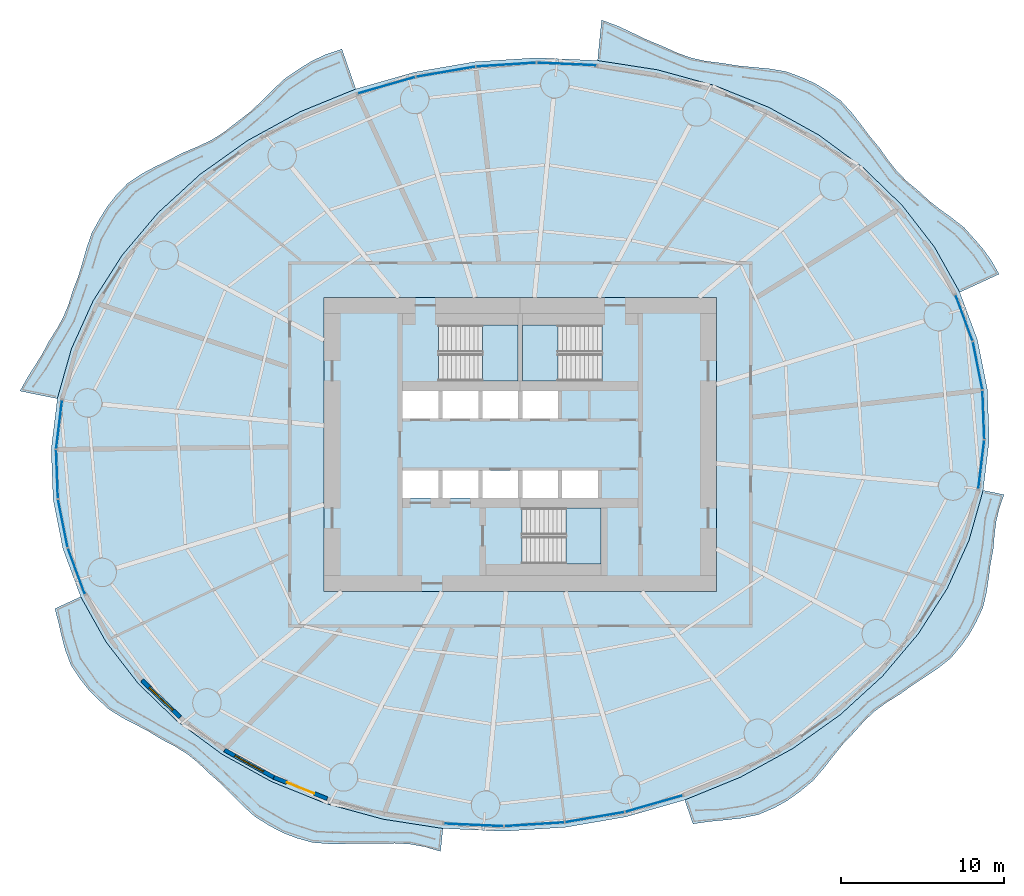
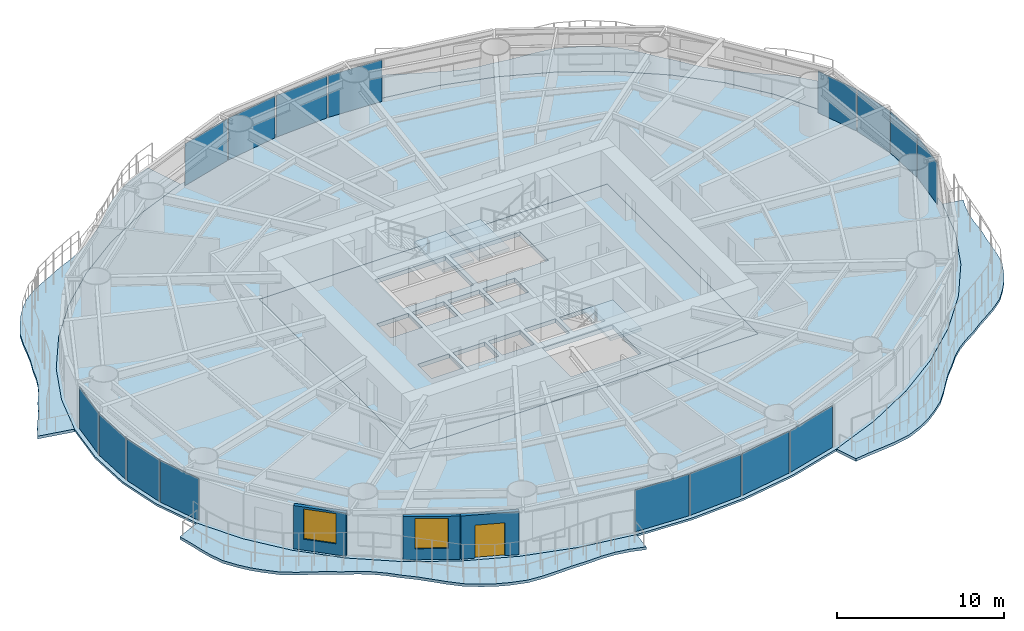
# One storey, part 7 of 16: 16 plates, 9 slabs, 3 walls, 2 windows, 1 door, 3 openings, 19 elements without a shape of their own.
"""IFC4 building model written with IfcOpenShell, lengths in metres."""

from ifc_helpers import new_model, si_unit, direction, frame, frame_2d, origin, origin_2d, place, context, subcontext, project, spatial, polyline, rectangle, outline, extrude, material, layer, layer_set, type_object, element, fill, aggregate, save


model = new_model("IFC4")

# Units and contexts
model_context = context("Model", 3, precision=1e-05, world=origin(), true_north=direction((0.0, 1.0)))
body_context = subcontext(model_context, "Body", "Model", "MODEL_VIEW")
ifc_project = project(units=[si_unit("LENGTHUNIT", "METRE"), si_unit("AREAUNIT", "SQUARE_METRE"), si_unit("VOLUMEUNIT", "CUBIC_METRE"), si_unit("PLANEANGLEUNIT", "RADIAN"), si_unit("MASSUNIT", "GRAM", prefix="KILO")], contexts=[model_context])

# Site, building, storey
site_placement = place(None, origin())
site = spatial("IfcSite", under=ifc_project, at=site_placement, CompositionType="ELEMENT")
building_placement = place(site_placement, origin())
building = spatial("IfcBuilding", under=site, at=building_placement, Name="Vermilion Reach Broadcast Tower", CompositionType="ELEMENT")
storey_placement = place(building_placement, frame((0.0, 0.0, 61.89990234375)))
storey = spatial("IfcBuildingStorey", under=building, at=storey_placement, Name="L12", CompositionType="ELEMENT", Elevation=61.89990234375)

# Slabs
ifc_material_1 = material(Name="Concrete C40/50", Category="concrete")
ifc_layer_1 = layer(ifc_material_1, 0.199951171875)
ifc_layer_set_1 = layer_set([ifc_layer_1], Name="Balcony slab 200")
slab_type_1 = type_object("IfcSlabType", Name="Balcony slab 200", PredefinedType="FLOOR", material=ifc_layer_set_1)
placement_1 = place(storey_placement, frame((0.0, 0.0, -0.199951171875)))
element("IfcSlab", 1, at=placement_1, inside=storey, type_object=slab_type_1, Name="Balcony slab L12 group 1", PredefinedType="FLOOR", context=body_context, shape_type="SweptSolid", body=[
    extrude(outline(polyline([(20.88623046875, 9.312255859375), (19.34326171875, 12.071044921875), (17.366455078125, 14.623046875), (14.98974609375, 16.925048828125), (12.254150390625, 18.9375), (9.2060546875, 20.625732421875), (5.897705078125, 21.961181640625), (2.385986328125, 22.9208984375), (-1.269287109375, 23.48828125), (-1.022705078125, 25.96728515625), (-0.007568359375, 25.587646484375), (0.86474609375, 25.1787109375), (1.73583984375, 24.761962890625), (2.695068359375, 24.369140625), (3.610595703125, 23.949462890625), (4.471435546875, 23.647216796875), (5.361083984375, 23.4501953125), (6.35888671875, 23.3291015625), (7.3466796875, 23.16796875), (8.2724609375, 23.07861328125), (9.199462890625, 22.992431640625), (10.25048828125, 22.8173828125), (11.218505859375, 22.46142578125), (12.01318359375, 22.098388671875), (12.759765625, 21.648193359375), (13.60009765625, 21.037109375), (14.29541015625, 20.279541015625), (14.834228515625, 19.57958984375), (15.36572265625, 18.868896484375), (15.99462890625, 18.11376953125), (16.54052734375, 17.337158203125), (17.0625, 16.68701171875), (17.645263671875, 16.099853515625), (18.358154296875, 15.510986328125), (19.028076171875, 14.889404296875), (19.685791015625, 14.3779296875), (20.369384765625, 13.88671875), (21.15478515625, 13.26953125), (21.8046875, 12.54248046875), (22.331787109375, 11.931884765625), (22.79833984375, 11.287109375), (23.29443359375, 10.424560546875), (20.88623046875, 9.312255859375)])), origin(), (0.0, 0.0, 1.0), 0.199951171875),
])
element("IfcSlab", 2, at=placement_1, inside=storey, type_object=slab_type_1, Name="Balcony slab L12 group 2", PredefinedType="FLOOR", context=body_context, shape_type="SweptSolid", body=[
    extrude(outline(polyline([(-16.060302734375, 21.74560546875), (-19.483642578125, 20.343994140625), (-22.67626953125, 18.594482421875), (-25.58349609375, 16.526611328125), (-28.15576171875, 14.176025390625), (-30.348876953125, 11.5830078125), (-32.125244140625, 8.791748046875), (-33.454833984375, 5.849853515625), (-34.314453125, 2.80810546875), (-36.60009765625, 3.26708984375), (-36.12255859375, 4.140380859375), (-35.6767578125, 4.83544921875), (-35.240966796875, 5.53369140625), (-34.811767578125, 6.34521484375), (-34.312744140625, 7.123291015625), (-33.929931640625, 7.8359375), (-33.62548828125, 8.583984375), (-33.354736328125, 9.456298828125), (-33.01416015625, 10.337890625), (-32.76708984375, 11.1611328125), (-32.534912109375, 11.993896484375), (-32.20654296875, 12.9501953125), (-31.706787109375, 13.843505859375), (-31.251220703125, 14.570068359375), (-30.726318359375, 15.238037109375), (-30.021728515625, 15.9716796875), (-29.1513671875, 16.556884765625), (-28.357421875, 16.9794921875), (-27.5390625, 17.375244140625), (-26.64501953125, 17.841064453125), (-25.702880859375, 18.2333984375), (-24.887451171875, 18.62548828125), (-24.127685546875, 19.09619140625), (-23.36669921875, 19.6962890625), (-22.57373046875, 20.301025390625), (-21.884765625, 20.937744140625), (-21.216552734375, 21.6123046875), (-20.439208984375, 22.34765625), (-19.5556640625, 22.9609375), (-18.7578125, 23.45263671875), (-17.920166015625, 23.847412109375), (-16.908447265625, 24.19189453125), (-16.060302734375, 21.74560546875)])), origin(), (0.0, 0.0, 1.0), 0.199951171875),
])
element("IfcSlab", 3, at=placement_1, inside=storey, type_object=slab_type_1, Name="Balcony slab L12 group 3", PredefinedType="FLOOR", context=body_context, shape_type="SweptSolid", body=[
    extrude(outline(polyline([(-32.88623046875, -9.312255859375), (-31.34326171875, -12.071044921875), (-29.366455078125, -14.623046875), (-26.98974609375, -16.925048828125), (-24.254150390625, -18.9375), (-21.2060546875, -20.625732421875), (-17.897705078125, -21.961181640625), (-14.385986328125, -22.9208984375), (-10.730712890625, -23.48828125), (-10.870361328125, -24.89306640625), (-11.840576171875, -24.609619140625), (-12.750732421875, -24.444580078125), (-13.67822265625, -24.39013671875), (-14.705810546875, -24.41845703125), (-15.732666015625, -24.396240234375), (-16.683349609375, -24.42236328125), (-17.629638671875, -24.432861328125), (-18.703125, -24.35009765625), (-19.709228515625, -24.06640625), (-20.540771484375, -23.743408203125), (-21.33349609375, -23.32470703125), (-22.22705078125, -22.768310546875), (-23.00048828125, -22.06787109375), (-23.634765625, -21.4150390625), (-24.274658203125, -20.7724609375), (-25.01708984375, -20.1279296875), (-25.699951171875, -19.47021484375), (-26.363037109375, -18.93896484375), (-27.08251953125, -18.48388671875), (-27.9326171875, -18.04052734375), (-28.741943359375, -17.545166015625), (-29.505859375, -17.14501953125), (-30.273681640625, -16.748779296875), (-31.14453125, -16.215087890625), (-31.872314453125, -15.543212890625), (-32.4384765625, -14.9609375), (-32.93798828125, -14.3271484375), (-33.487548828125, -13.48974609375), (-33.836181640625, -12.56005859375), (-34.043701171875, -11.7705078125), (-34.224365234375, -10.96630859375), (-34.46826171875, -10.04296875), (-32.88623046875, -9.312255859375)])), origin(), (0.0, 0.0, 1.0), 0.199951171875),
])
element("IfcSlab", 4, at=placement_1, inside=storey, type_object=slab_type_1, Name="Balcony slab L12 group 4", PredefinedType="FLOOR", context=body_context, shape_type="SweptSolid", body=[
    extrude(outline(polyline([(4.060302734375, -21.74560546875), (7.483642578125, -20.343994140625), (10.67626953125, -18.594482421875), (13.58349609375, -16.526611328125), (16.15576171875, -14.176025390625), (18.348876953125, -11.5830078125), (20.125244140625, -8.791748046875), (21.454833984375, -5.849853515625), (22.314453125, -2.80810546875), (23.592041015625, -3.064697265625), (23.302734375, -3.90869140625), (23.1201171875, -4.67822265625), (23.0126953125, -5.468994140625), (22.936279296875, -6.390625), (22.761962890625, -7.326416015625), (22.65283203125, -8.162841796875), (22.533203125, -8.994384765625), (22.304443359375, -9.9697265625), (21.876708984375, -10.886962890625), (21.47265625, -11.610107421875), (20.992431640625, -12.284912109375), (20.3505859375, -13.05615234375), (19.5400390625, -13.702392578125), (18.803955078125, -14.19189453125), (18.05908203125, -14.674072265625), (17.2685546875, -15.2470703125), (16.429931640625, -15.767333984375), (15.72119140625, -16.283203125), (15.07861328125, -16.871337890625), (14.440673828125, -17.588134765625), (13.7548828125, -18.306396484375), (13.171875, -19.025390625), (12.601806640625, -19.762939453125), (11.910888671875, -20.564697265625), (11.090087890625, -21.243408203125), (10.345703125, -21.778564453125), (9.550048828125, -22.220703125), (8.577392578125, -22.637451171875), (7.514404296875, -22.85986328125), (6.560302734375, -22.969970703125), (5.59814453125, -23.060791015625), (4.566650390625, -23.2060546875), (4.060302734375, -21.74560546875)])), origin(), (0.0, 0.0, 1.0), 0.199951171875),
])
ifc_material_2 = material(Name="Concrete C40", Category="concrete")
ifc_layer_2 = layer(ifc_material_2, 0.300048828125)
ifc_layer_set_2 = layer_set([ifc_layer_2], Name="Core floor slab 300 mm Concrete C40")
slab_type_2 = type_object("IfcSlabType", Name="Core floor slab 300 mm Concrete C40", PredefinedType="FLOOR", material=ifc_layer_set_2)
slab_5_placement = place(storey_placement, frame((0.0, 0.0, -0.2998046875)))
element("IfcSlab", 5, at=slab_5_placement, inside=storey, type_object=slab_type_2, Name="L12 core floor", PredefinedType="FLOOR", context=body_context, shape_type="SweptSolid", body=[
    extrude(outline(polyline([(-18.0, -9.0), (6.0, -9.0), (6.0, 9.0), (-18.0, 9.0), (-18.0, -9.0)]), holes=[polyline([(-13.199951171875, 1.60009765625), (-11.00830078125, 1.60009765625), (-11.00830078125, 3.280029296875), (-13.199951171875, 3.280029296875), (-13.199951171875, 1.60009765625)]), polyline([(-10.75830078125, 1.60009765625), (-8.566650390625, 1.60009765625), (-8.566650390625, 3.280029296875), (-10.75830078125, 3.280029296875), (-10.75830078125, 1.60009765625)]), polyline([(-8.316650390625, 1.60009765625), (-6.125, 1.60009765625), (-6.125, 3.280029296875), (-8.316650390625, 3.280029296875), (-8.316650390625, 1.60009765625)]), polyline([(-5.875, 1.60009765625), (-3.683349609375, 1.60009765625), (-3.683349609375, 3.280029296875), (-5.875, 3.280029296875), (-5.875, 1.60009765625)]), polyline([(-13.199951171875, -3.280029296875), (-11.00830078125, -3.280029296875), (-11.00830078125, -1.60009765625), (-13.199951171875, -1.60009765625), (-13.199951171875, -3.280029296875)]), polyline([(-10.75830078125, -3.280029296875), (-8.566650390625, -3.280029296875), (-8.566650390625, -1.60009765625), (-10.75830078125, -1.60009765625), (-10.75830078125, -3.280029296875)]), polyline([(-8.316650390625, -3.280029296875), (-6.125, -3.280029296875), (-6.125, -1.60009765625), (-8.316650390625, -1.60009765625), (-8.316650390625, -3.280029296875)]), polyline([(-5.875, -3.280029296875), (-3.683349609375, -3.280029296875), (-3.683349609375, -1.60009765625), (-5.875, -1.60009765625), (-5.875, -3.280029296875)]), polyline([(-3.433349609375, -3.280029296875), (-1.24169921875, -3.280029296875), (-1.24169921875, -1.60009765625), (-3.433349609375, -1.60009765625), (-3.433349609375, -3.280029296875)]), polyline([(-10.999267578125, 3.8798828125), (-6.14990234375, 3.8798828125), (-6.14990234375, 7.300048828125), (-10.999267578125, 7.300048828125), (-10.999267578125, 3.8798828125)]), polyline([(-1.000732421875, 7.300048828125), (-5.85009765625, 7.300048828125), (-5.85009765625, 3.8798828125), (-1.000732421875, 3.8798828125), (-1.000732421875, 7.300048828125)]), polyline([(-5.8994140625, -7.300048828125), (-1.050048828125, -7.300048828125), (-1.050048828125, -3.8798828125), (-5.8994140625, -3.8798828125), (-5.8994140625, -7.300048828125)])]), origin(), (0.0, 0.0, 1.0), 0.2998046875),
])

# Stair, slab
ifc_material_3 = material(Name="Concrete C40", Category="concrete")
stair_type = type_object("IfcStairType", Name="Exit stair RC 22 risers 168 mm", PredefinedType="HALF_TURN_STAIR", material=ifc_material_3)
placement_2 = place(storey_placement, origin())
stair_1 = element("IfcStair", 6, at=placement_2, inside=storey, type_object=stair_type, Name="L12 Exit stair ST1", PredefinedType="HALF_TURN_STAIR")
ifc_material_4 = material(Name="Concrete C40", Category="concrete")
ifc_layer_3 = layer(ifc_material_4, 0.199951171875)
ifc_layer_set_3 = layer_set([ifc_layer_3], Name="Exit stair landing Concrete C40")
slab_type_3 = type_object("IfcSlabType", Name="Exit stair landing Concrete C40", PredefinedType="LANDING", material=ifc_layer_set_3)
placement_3 = place(storey_placement, frame((0.0, 0.0, 1.650146484375)))
slab_6 = element("IfcSlab", 7, at=placement_3, type_object=slab_type_3, Name="ST1 landing 1", PredefinedType="LANDING", context=body_context, shape_type="SweptSolid", body=[
    extrude(outline(polyline([(-8.300048828125, 3.8798828125), (-6.14990234375, 3.8798828125), (-6.14990234375, 7.300048828125), (-8.300048828125, 7.300048828125), (-8.300048828125, 3.8798828125)])), origin(), (0.0, 0.0, 1.0), 0.199951171875),
])
aggregate(stair_1, [slab_6])

stair_2 = element("IfcStair", 8, at=placement_2, inside=storey, type_object=stair_type, Name="L12 Exit stair ST2", PredefinedType="HALF_TURN_STAIR")
slab_7 = element("IfcSlab", 9, at=placement_3, type_object=slab_type_3, Name="ST2 landing 1", PredefinedType="LANDING", context=body_context, shape_type="SweptSolid", body=[
    extrude(outline(polyline([(-3.699951171875, 7.300048828125), (-5.85009765625, 7.300048828125), (-5.85009765625, 3.8798828125), (-3.699951171875, 3.8798828125), (-3.699951171875, 7.300048828125)])), origin(), (0.0, 0.0, 1.0), 0.199951171875),
])
aggregate(stair_2, [slab_7])

stair_3 = element("IfcStair", 10, at=placement_2, inside=storey, type_object=stair_type, Name="L12 Exit stair ST3", PredefinedType="HALF_TURN_STAIR")
slab_8 = element("IfcSlab", 11, at=placement_3, type_object=slab_type_3, Name="ST3 landing 1", PredefinedType="LANDING", context=body_context, shape_type="SweptSolid", body=[
    extrude(outline(polyline([(-3.199951171875, -7.300048828125), (-1.050048828125, -7.300048828125), (-1.050048828125, -3.8798828125), (-3.199951171875, -3.8798828125), (-3.199951171875, -7.300048828125)])), origin(), (0.0, 0.0, 1.0), 0.199951171875),
])
aggregate(stair_3, [slab_8])

# Slab
ifc_material_5 = material(Name="Concrete C40", Category="concrete")
ifc_layer_4 = layer(ifc_material_5, 0.14990234375)
ifc_layer_set_4 = layer_set([ifc_layer_4], Name="Floor slab Concrete C40 composite 150")
slab_type_4 = type_object("IfcSlabType", Name="Floor slab Concrete C40 composite 150", PredefinedType="FLOOR", material=ifc_layer_set_4)
slab_9_placement = place(storey_placement, frame((0.0, 0.0, -0.14990234375)))
element("IfcSlab", 12, at=slab_9_placement, inside=storey, type_object=slab_type_4, Name="Floor slab L12", PredefinedType="FLOOR", context=body_context, shape_type="SweptSolid", body=[
    extrude(outline(polyline([(22.573974609375, 3.36669921875), (21.969482421875, 6.394287109375), (20.88623046875, 9.312255859375), (19.34326171875, 12.071044921875), (17.366455078125, 14.623046875), (14.98974609375, 16.925048828125), (12.254150390625, 18.9375), (9.2060546875, 20.625732421875), (5.897705078125, 21.961181640625), (2.385986328125, 22.9208984375), (-1.269287109375, 23.48828125), (-5.005615234375, 23.654052734375), (-8.7587890625, 23.414794921875), (-12.46484375, 22.775146484375), (-16.060302734375, 21.74560546875), (-19.483642578125, 20.343994140625), (-22.67626953125, 18.594482421875), (-25.58349609375, 16.526611328125), (-28.15576171875, 14.176025390625), (-30.348876953125, 11.5830078125), (-32.125244140625, 8.791748046875), (-33.454833984375, 5.849853515625), (-34.314453125, 2.80810546875), (-34.689697265625, -0.28173828125), (-34.573974609375, -3.36669921875), (-33.969482421875, -6.394287109375), (-32.88623046875, -9.312255859375), (-31.34326171875, -12.071044921875), (-29.366455078125, -14.623046875), (-26.98974609375, -16.925048828125), (-24.254150390625, -18.9375), (-21.2060546875, -20.625732421875), (-17.897705078125, -21.961181640625), (-14.385986328125, -22.9208984375), (-10.730712890625, -23.48828125), (-6.994384765625, -23.654052734375), (-3.2412109375, -23.414794921875), (0.46484375, -22.775146484375), (4.060302734375, -21.74560546875), (7.483642578125, -20.343994140625), (10.67626953125, -18.594482421875), (13.58349609375, -16.526611328125), (16.15576171875, -14.176025390625), (18.348876953125, -11.5830078125), (20.125244140625, -8.791748046875), (21.454833984375, -5.849853515625), (22.314453125, -2.80810546875), (22.689697265625, 0.28173828125), (22.573974609375, 3.36669921875)]), holes=[polyline([(-18.0, -9.0), (6.0, -9.0), (6.0, 9.0), (-18.0, 9.0), (-18.0, -9.0)])]), origin(), (0.0, 0.0, 1.0), 0.14990234375),
])

# Curtain wall, plate
ifc_material_6 = material(Name="Low-e laminated clear glass in aluminium frame", Category="aluminium")
curtain_wall_type = type_object("IfcCurtainWallType", Name="Slot curtain wall", PredefinedType="NOTDEFINED", material=ifc_material_6)
curtain_wall_1 = element("IfcCurtainWall", 13, at=placement_2, inside=storey, type_object=curtain_wall_type, Name="Slot curtain wall L12 46", PredefinedType="NOTDEFINED")
ifc_material_7 = material(Name="Low-e laminated clear glass", Category="glass")
ifc_layer_5 = layer(ifc_material_7, 0.028076171875)
ifc_layer_set_5 = layer_set([ifc_layer_5], Name="Slot glass panel")
plate_type = type_object("IfcPlateType", Name="Slot glass panel", PredefinedType="CURTAIN_PANEL", material=ifc_layer_set_5)
plate_1_placement = place(storey_placement, frame((22.205078125, -1.227294921875, 0.0), z_axis=(0.0, 0.0, 1.0), x_axis=(0.120561561118, 0.992705852698, 0.0)))
plate_1 = element("IfcPlate", 14, at=plate_1_placement, type_object=plate_type, Name="Slot glass panel L12 46", PredefinedType="CURTAIN_PANEL", context=body_context, shape_type="SweptSolid", body=[
    extrude(rectangle(XDim=2.985595703125, YDim=0.028076171875, at=origin_2d()), origin(), (0.0, 0.0, 1.0), 3.050048828125),
])
aggregate(curtain_wall_1, [plate_1])

curtain_wall_2 = element("IfcCurtainWall", 15, at=placement_2, inside=storey, type_object=curtain_wall_type, Name="Slot curtain wall L12 47", PredefinedType="NOTDEFINED")
plate_2_placement = place(storey_placement, frame((22.3330078125, 1.81298828125, 0.0), z_axis=(0.0, 0.0, 1.0), x_axis=(-0.037459364915, 0.999298151695, 0.0)))
plate_2 = element("IfcPlate", 16, at=plate_2_placement, type_object=plate_type, Name="Slot glass panel L12 47", PredefinedType="CURTAIN_PANEL", context=body_context, shape_type="SweptSolid", body=[
    extrude(rectangle(XDim=2.95947265625, YDim=0.028076171875, at=origin_2d()), origin(), (0.0, 0.0, 1.0), 3.050048828125),
])
aggregate(curtain_wall_2, [plate_2])

curtain_wall_3 = element("IfcCurtainWall", 17, at=placement_2, inside=storey, type_object=curtain_wall_type, Name="Slot curtain wall L12 00", PredefinedType="NOTDEFINED")
plate_3_placement = place(storey_placement, frame((21.978515625, 4.822021484375, 0.0), z_axis=(0.0, 0.0, 1.0), x_axis=(-0.195830463176, 0.980637766809, 0.0)))
plate_3 = element("IfcPlate", 18, at=plate_3_placement, type_object=plate_type, Name="Slot glass panel L12 00", PredefinedType="CURTAIN_PANEL", context=body_context, shape_type="SweptSolid", body=[
    extrude(rectangle(XDim=2.95947265625, YDim=0.028076171875, at=origin_2d()), origin(), (0.0, 0.0, 1.0), 3.050048828125),
])
aggregate(curtain_wall_3, [plate_3])

curtain_wall_4 = element("IfcCurtainWall", 19, at=placement_2, inside=storey, type_object=curtain_wall_type, Name="Slot curtain wall L12 01", PredefinedType="NOTDEFINED")
plate_4_placement = place(storey_placement, frame((21.1474609375, 7.749267578125, 0.0), z_axis=(0.0, 0.0, 1.0), x_axis=(-0.347991532124, 0.937497676568, 0.0)))
plate_4 = element("IfcPlate", 20, at=plate_4_placement, type_object=plate_type, Name="Slot glass panel L12 01", PredefinedType="CURTAIN_PANEL", context=body_context, shape_type="SweptSolid", body=[
    extrude(rectangle(XDim=2.985595703125, YDim=0.028076171875, at=origin_2d()), origin(), (0.0, 0.0, 1.0), 3.050048828125),
])
aggregate(curtain_wall_4, [plate_4])

curtain_wall_5 = element("IfcCurtainWall", 21, at=placement_2, inside=storey, type_object=curtain_wall_type, Name="Slot curtain wall L12 10", PredefinedType="NOTDEFINED")
plate_5_placement = place(storey_placement, frame((-3.15087890625, 23.27197265625, 0.0), z_axis=(0.0, 0.0, 1.0), x_axis=(-0.99901941838, 0.044274165141, 0.0)))
plate_5 = element("IfcPlate", 22, at=plate_5_placement, type_object=plate_type, Name="Slot glass panel L12 10", PredefinedType="CURTAIN_PANEL", context=body_context, shape_type="SweptSolid", body=[
    extrude(rectangle(XDim=3.62744140625, YDim=0.028076171875, at=origin_2d()), origin(), (0.0, 0.0, 1.0), 3.050048828125),
])
aggregate(curtain_wall_5, [plate_5])

curtain_wall_6 = element("IfcCurtainWall", 23, at=placement_2, inside=storey, type_object=curtain_wall_type, Name="Slot curtain wall L12 11", PredefinedType="NOTDEFINED")
plate_6_placement = place(storey_placement, frame((-6.86328125, 23.2353515625, 0.0), z_axis=(0.0, 0.0, 1.0), x_axis=(-0.997976360011, -0.063586042961, 0.0)))
plate_6 = element("IfcPlate", 24, at=plate_6_placement, type_object=plate_type, Name="Slot glass panel L12 11", PredefinedType="CURTAIN_PANEL", context=body_context, shape_type="SweptSolid", body=[
    extrude(rectangle(XDim=3.648681640625, YDim=0.028076171875, at=origin_2d()), origin(), (0.0, 0.0, 1.0), 3.050048828125),
])
aggregate(curtain_wall_6, [plate_6])

curtain_wall_7 = element("IfcCurtainWall", 25, at=placement_2, inside=storey, type_object=curtain_wall_type, Name="Slot curtain wall L12 12", PredefinedType="NOTDEFINED")
plate_7_placement = place(storey_placement, frame((-10.56103515625, 22.7998046875, 0.0), z_axis=(0.0, 0.0, 1.0), x_axis=(-0.985424739932, -0.170111968803, 0.0)))
plate_7 = element("IfcPlate", 26, at=plate_7_placement, type_object=plate_type, Name="Slot glass panel L12 12", PredefinedType="CURTAIN_PANEL", context=body_context, shape_type="SweptSolid", body=[
    extrude(rectangle(XDim=3.648681640625, YDim=0.028076171875, at=origin_2d()), origin(), (0.0, 0.0, 1.0), 3.050048828125),
])
aggregate(curtain_wall_7, [plate_7])

curtain_wall_8 = element("IfcCurtainWall", 27, at=placement_2, inside=storey, type_object=curtain_wall_type, Name="Slot curtain wall L12 13", PredefinedType="NOTDEFINED")
plate_8_placement = place(storey_placement, frame((-14.18017578125, 21.972412109375, 0.0), z_axis=(0.0, 0.0, 1.0), x_axis=(-0.961369649865, -0.275260597106, 0.0)))
plate_8 = element("IfcPlate", 28, at=plate_8_placement, type_object=plate_type, Name="Slot glass panel L12 13", PredefinedType="CURTAIN_PANEL", context=body_context, shape_type="SweptSolid", body=[
    extrude(rectangle(XDim=3.62744140625, YDim=0.028076171875, at=origin_2d()), origin(), (0.0, 0.0, 1.0), 3.050048828125),
])
aggregate(curtain_wall_8, [plate_8])

curtain_wall_9 = element("IfcCurtainWall", 29, at=placement_2, inside=storey, type_object=curtain_wall_type, Name="Slot curtain wall L12 22", PredefinedType="NOTDEFINED")
plate_9_placement = place(storey_placement, frame((-34.205078125, 1.227294921875, 0.0), z_axis=(0.0, 0.0, 1.0), x_axis=(-0.120561561118, -0.992705852698, 0.0)))
plate_9 = element("IfcPlate", 30, at=plate_9_placement, type_object=plate_type, Name="Slot glass panel L12 22", PredefinedType="CURTAIN_PANEL", context=body_context, shape_type="SweptSolid", body=[
    extrude(rectangle(XDim=2.985595703125, YDim=0.028076171875, at=origin_2d()), origin(), (0.0, 0.0, 1.0), 3.050048828125),
])
aggregate(curtain_wall_9, [plate_9])

curtain_wall_10 = element("IfcCurtainWall", 31, at=placement_2, inside=storey, type_object=curtain_wall_type, Name="Slot curtain wall L12 23", PredefinedType="NOTDEFINED")
plate_10_placement = place(storey_placement, frame((-34.3330078125, -1.81298828125, 0.0), z_axis=(0.0, 0.0, 1.0), x_axis=(0.037459364915, -0.999298151695, 0.0)))
plate_10 = element("IfcPlate", 32, at=plate_10_placement, type_object=plate_type, Name="Slot glass panel L12 23", PredefinedType="CURTAIN_PANEL", context=body_context, shape_type="SweptSolid", body=[
    extrude(rectangle(XDim=2.95947265625, YDim=0.028076171875, at=origin_2d()), origin(), (0.0, 0.0, 1.0), 3.050048828125),
])
aggregate(curtain_wall_10, [plate_10])

curtain_wall_11 = element("IfcCurtainWall", 33, at=placement_2, inside=storey, type_object=curtain_wall_type, Name="Slot curtain wall L12 24", PredefinedType="NOTDEFINED")
plate_11_placement = place(storey_placement, frame((-33.978515625, -4.822021484375, 0.0), z_axis=(0.0, 0.0, 1.0), x_axis=(0.195830463176, -0.980637766809, 0.0)))
plate_11 = element("IfcPlate", 34, at=plate_11_placement, type_object=plate_type, Name="Slot glass panel L12 24", PredefinedType="CURTAIN_PANEL", context=body_context, shape_type="SweptSolid", body=[
    extrude(rectangle(XDim=2.95947265625, YDim=0.028076171875, at=origin_2d()), origin(), (0.0, 0.0, 1.0), 3.050048828125),
])
aggregate(curtain_wall_11, [plate_11])

curtain_wall_12 = element("IfcCurtainWall", 35, at=placement_2, inside=storey, type_object=curtain_wall_type, Name="Slot curtain wall L12 25", PredefinedType="NOTDEFINED")
plate_12_placement = place(storey_placement, frame((-33.1474609375, -7.749267578125, 0.0), z_axis=(0.0, 0.0, 1.0), x_axis=(0.347991532124, -0.937497676568, 0.0)))
plate_12 = element("IfcPlate", 36, at=plate_12_placement, type_object=plate_type, Name="Slot glass panel L12 25", PredefinedType="CURTAIN_PANEL", context=body_context, shape_type="SweptSolid", body=[
    extrude(rectangle(XDim=2.985595703125, YDim=0.028076171875, at=origin_2d()), origin(), (0.0, 0.0, 1.0), 3.050048828125),
])
aggregate(curtain_wall_12, [plate_12])

curtain_wall_13 = element("IfcCurtainWall", 37, at=placement_2, inside=storey, type_object=curtain_wall_type, Name="Slot curtain wall L12 34", PredefinedType="NOTDEFINED")
plate_13_placement = place(storey_placement, frame((-8.84912109375, -23.27197265625, 0.0), z_axis=(0.0, 0.0, 1.0), x_axis=(0.99901941838, -0.044274165141, 0.0)))
plate_13 = element("IfcPlate", 38, at=plate_13_placement, type_object=plate_type, Name="Slot glass panel L12 34", PredefinedType="CURTAIN_PANEL", context=body_context, shape_type="SweptSolid", body=[
    extrude(rectangle(XDim=3.62744140625, YDim=0.028076171875, at=origin_2d()), origin(), (0.0, 0.0, 1.0), 3.050048828125),
])
aggregate(curtain_wall_13, [plate_13])

curtain_wall_14 = element("IfcCurtainWall", 39, at=placement_2, inside=storey, type_object=curtain_wall_type, Name="Slot curtain wall L12 35", PredefinedType="NOTDEFINED")
plate_14_placement = place(storey_placement, frame((-5.13671875, -23.2353515625, 0.0), z_axis=(0.0, 0.0, 1.0), x_axis=(0.997976360011, 0.063586042961, 0.0)))
plate_14 = element("IfcPlate", 40, at=plate_14_placement, type_object=plate_type, Name="Slot glass panel L12 35", PredefinedType="CURTAIN_PANEL", context=body_context, shape_type="SweptSolid", body=[
    extrude(rectangle(XDim=3.648681640625, YDim=0.028076171875, at=origin_2d()), origin(), (0.0, 0.0, 1.0), 3.050048828125),
])
aggregate(curtain_wall_14, [plate_14])

curtain_wall_15 = element("IfcCurtainWall", 41, at=placement_2, inside=storey, type_object=curtain_wall_type, Name="Slot curtain wall L12 36", PredefinedType="NOTDEFINED")
plate_15_placement = place(storey_placement, frame((-1.43896484375, -22.7998046875, 0.0), z_axis=(0.0, 0.0, 1.0), x_axis=(0.985424739932, 0.170111968803, 0.0)))
plate_15 = element("IfcPlate", 42, at=plate_15_placement, type_object=plate_type, Name="Slot glass panel L12 36", PredefinedType="CURTAIN_PANEL", context=body_context, shape_type="SweptSolid", body=[
    extrude(rectangle(XDim=3.648681640625, YDim=0.028076171875, at=origin_2d()), origin(), (0.0, 0.0, 1.0), 3.050048828125),
])
aggregate(curtain_wall_15, [plate_15])

curtain_wall_16 = element("IfcCurtainWall", 43, at=placement_2, inside=storey, type_object=curtain_wall_type, Name="Slot curtain wall L12 37", PredefinedType="NOTDEFINED")
plate_16_placement = place(storey_placement, frame((2.18017578125, -21.972412109375, 0.0), z_axis=(0.0, 0.0, 1.0), x_axis=(0.961369649865, 0.275260597106, 0.0)))
plate_16 = element("IfcPlate", 44, at=plate_16_placement, type_object=plate_type, Name="Slot glass panel L12 37", PredefinedType="CURTAIN_PANEL", context=body_context, shape_type="SweptSolid", body=[
    extrude(rectangle(XDim=3.62744140625, YDim=0.028076171875, at=origin_2d()), origin(), (0.0, 0.0, 1.0), 3.050048828125),
])
aggregate(curtain_wall_16, [plate_16])

# Wall, opening, window
ifc_material_8 = material(Name="Terracotta rainscreen cladding", Category="masonry")
ifc_layer_6 = layer(ifc_material_8, 0.25)
ifc_layer_set_6 = layer_set([ifc_layer_6], Name="Terracotta rainscreen wall 250")
wall_type = type_object("IfcWallType", Name="Terracotta rainscreen wall 250", PredefinedType="SOLIDWALL", material=ifc_layer_set_6)
wall_1_placement = place(storey_placement, frame((-29.1337890625, -14.431884765625, 0.0), z_axis=(0.0, 0.0, 1.0), x_axis=(0.718313139299, -0.695719939279, 0.0)))
wall_1 = element("IfcWall", 45, at=wall_1_placement, inside=storey, type_object=wall_type, Name="External wall L12 28", PredefinedType="SOLIDWALL", context=body_context, shape_type="SweptSolid", body=[
    extrude(rectangle(XDim=3.24169921875, YDim=0.25, at=frame_2d((1.620849609375, 0.0))), origin(), (0.0, 0.0, 1.0), 3.150146484375),
])
opening_1_placement = place(wall_1_placement, frame((0.620849609375, 0.0, 0.800048828125)))
opening_1 = element("IfcOpeningElement", 46, at=opening_1_placement, cuts=wall_1, Name="Opening W01", PredefinedType="OPENING", context=body_context, shape_type="SweptSolid", body=[
    extrude(rectangle(XDim=2.0, YDim=2.199951171875, at=frame_2d((1.0, 1.10009765625))), frame((0.0, 0.135009765625, 0.0), z_axis=(0.0, -1.0, 0.0), x_axis=(1.0, 0.0, 0.0)), (0.0, 0.0, 1.0), 0.27001953125),
])
ifc_material_9 = material(Name="Low-e laminated clear glass in aluminium frame", Category="aluminium")
window_type = type_object("IfcWindowType", Name="Punched window 2000 x 2200 sill 800", PartitioningType="SINGLE_PANEL", PredefinedType="WINDOW", material=ifc_material_9)
window_1_placement = place(opening_1_placement, origin())
window_1 = element("IfcWindow", 47, at=window_1_placement, inside=storey, type_object=window_type, Name="Window L12 28", OverallHeight=2.199951171875, OverallWidth=2.0, PartitioningType="SINGLE_PANEL", PredefinedType="WINDOW", context=body_context, shape_type="SweptSolid", body=[
    extrude(rectangle(XDim=2.0, YDim=2.199951171875, at=frame_2d((1.0, 1.10009765625))), frame((0.0, 0.030029296875, 0.0), z_axis=(0.0, -1.0, 0.0), x_axis=(1.0, 0.0, 0.0)), (0.0, 0.0, 1.0), 0.06005859375),
])
fill(opening_1, window_1)

wall_2_placement = place(storey_placement, frame((-24.081787109375, -18.690673828125, 0.0), z_axis=(0.0, 0.0, 1.0), x_axis=(0.874758800171, -0.48455860484, 0.0)))
wall_2 = element("IfcWall", 48, at=wall_2_placement, inside=storey, type_object=wall_type, Name="External wall L12 30", PredefinedType="SOLIDWALL", context=body_context, shape_type="SweptSolid", body=[
    extrude(rectangle(XDim=3.423095703125, YDim=0.25, at=frame_2d((1.71142578125, 0.0))), origin(), (0.0, 0.0, 1.0), 3.150146484375),
])
opening_2_placement = place(wall_2_placement, frame((0.711669921875, 0.0, 0.800048828125)))
opening_2 = element("IfcOpeningElement", 49, at=opening_2_placement, cuts=wall_2, Name="Opening W01", PredefinedType="OPENING", context=body_context, shape_type="SweptSolid", body=[
    extrude(rectangle(XDim=2.0, YDim=2.199951171875, at=frame_2d((1.0, 1.10009765625))), frame((0.0, 0.135009765625, 0.0), z_axis=(0.0, -1.0, 0.0), x_axis=(1.0, 0.0, 0.0)), (0.0, 0.0, 1.0), 0.27001953125),
])
window_2_placement = place(opening_2_placement, origin())
window_2 = element("IfcWindow", 50, at=window_2_placement, inside=storey, type_object=window_type, Name="Window L12 30", OverallHeight=2.199951171875, OverallWidth=2.0, PartitioningType="SINGLE_PANEL", PredefinedType="WINDOW", context=body_context, shape_type="SweptSolid", body=[
    extrude(rectangle(XDim=2.0, YDim=2.199951171875, at=frame_2d((1.0, 1.10009765625))), frame((0.0, 0.030029296875, 0.0), z_axis=(0.0, -1.0, 0.0), x_axis=(1.0, 0.0, 0.0)), (0.0, 0.0, 1.0), 0.06005859375),
])
fill(opening_2, window_2)

# Wall, opening, door
wall_3_placement = place(storey_placement, frame((-21.06640625, -20.359375, 0.0), z_axis=(0.0, 0.0, 1.0), x_axis=(0.927325439412, -0.374255967782, 0.0)))
wall_3 = element("IfcWall", 51, at=wall_3_placement, inside=storey, type_object=wall_type, Name="External wall L12 31", PredefinedType="SOLIDWALL", context=body_context, shape_type="SweptSolid", body=[
    extrude(rectangle(XDim=3.509033203125, YDim=0.25, at=frame_2d((1.75439453125, 0.0))), origin(), (0.0, 0.0, 1.0), 3.150146484375),
])
opening_3_placement = place(wall_3_placement, frame((0.85400390625, 0.0, 0.0)))
opening_3 = element("IfcOpeningElement", 52, at=opening_3_placement, cuts=wall_3, Name="Opening D70", PredefinedType="OPENING", context=body_context, shape_type="SweptSolid", body=[
    extrude(rectangle(XDim=1.800048828125, YDim=2.39990234375, at=frame_2d((0.89990234375, 1.199951171875))), frame((0.0, 0.135009765625, 0.0), z_axis=(0.0, -1.0, 0.0), x_axis=(1.0, 0.0, 0.0)), (0.0, 0.0, 1.0), 0.27001953125),
])
ifc_material_10 = material(Name="Low-e laminated clear glass in aluminium frame", Category="aluminium")
door_type = type_object("IfcDoorType", Name="Balcony sliding door 1800 x 2400", OperationType="DOUBLE_DOOR_SLIDING", PredefinedType="DOOR", material=ifc_material_10)
door_placement = place(opening_3_placement, origin())
door = element("IfcDoor", 53, at=door_placement, inside=storey, type_object=door_type, Name="Balcony door L12 run 08", OperationType="DOUBLE_DOOR_SLIDING", OverallHeight=2.39990234375, OverallWidth=1.800048828125, PredefinedType="DOOR", context=body_context, shape_type="SweptSolid", body=[
    extrude(rectangle(XDim=1.800048828125, YDim=2.39990234375, at=frame_2d((0.89990234375, 1.199951171875))), frame((0.0, 0.02490234375, 0.0), z_axis=(0.0, -1.0, 0.0), x_axis=(1.0, 0.0, 0.0)), (0.0, 0.0, 1.0), 0.050048828125),
])
fill(opening_3, door)

save(model, "model.ifc")
